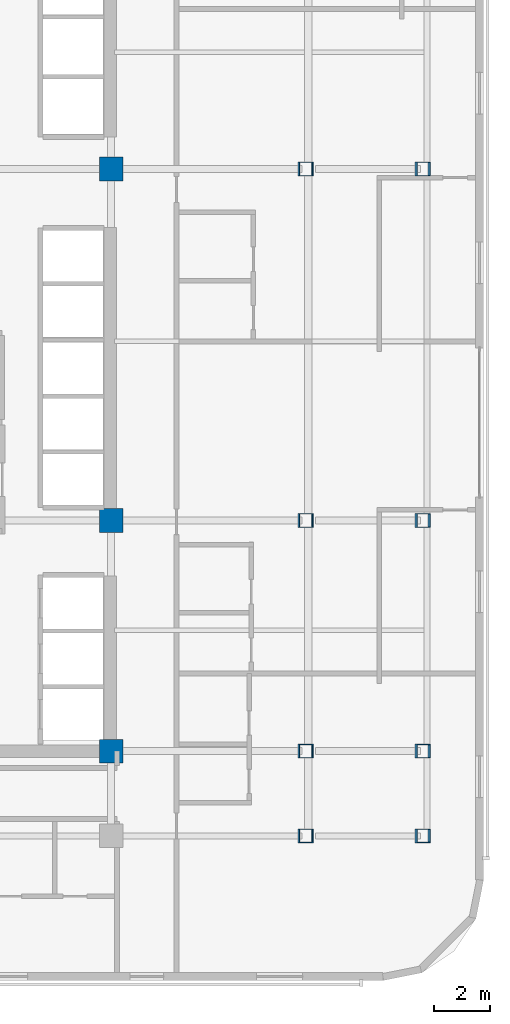
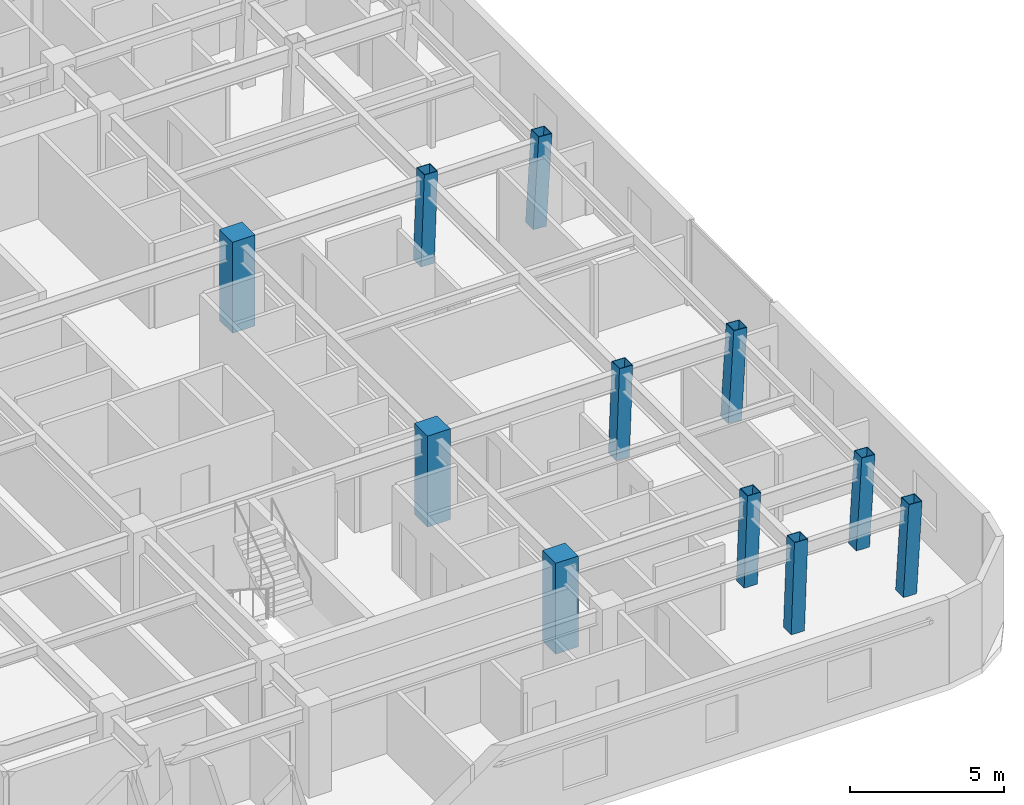
# One storey, part 2 of 15: 11 columns.
"""IFC4 building model written with IfcOpenShell, lengths in metres."""

from ifc_helpers import new_model, si_unit, direction, frame, origin, origin_2d, place, context, subcontext, project, spatial, rectangle, hollow_rectangle, extrude, material, material_profile, profile_set, type_object, element, save


model = new_model("IFC4")

# Units and contexts
model_context = context("Model", 3, precision=1e-05, world=origin(), true_north=direction((0.0, 1.0)))
body_context = subcontext(model_context, "Body", "Model", "MODEL_VIEW")
ifc_project = project(units=[si_unit("LENGTHUNIT", "METRE"), si_unit("AREAUNIT", "SQUARE_METRE"), si_unit("VOLUMEUNIT", "CUBIC_METRE"), si_unit("PLANEANGLEUNIT", "RADIAN"), si_unit("MASSUNIT", "GRAM", prefix="KILO")], contexts=[model_context])

# Site, building, storey
site_placement = place(None, origin())
site = spatial("IfcSite", under=ifc_project, at=site_placement, CompositionType="ELEMENT")
building_placement = place(site_placement, origin())
building = spatial("IfcBuilding", under=site, at=building_placement, Name="Ochreholt Gables", CompositionType="ELEMENT")
storey_placement = place(building_placement, frame((0.0, 0.0, 64.199951171875)))
storey = spatial("IfcBuildingStorey", under=building, at=storey_placement, Name="L16", CompositionType="ELEMENT", Elevation=64.199951171875)

# Columns
ifc_material_1 = material(Name="Steel CSA G40.21 350W", Category="steel")
ifc_material_profile_1 = material_profile(ifc_material_1, hollow_rectangle(XDim=0.5, YDim=0.5, WallThickness=0.02197265625, at=origin_2d()), Name="HSS500X500X22")
ifc_profile_set_1 = profile_set([ifc_material_profile_1], Name="Steel CSA G40.21 350W")
column_type_1 = type_object("IfcColumnType", Name="COL-HSS500-RAK", PredefinedType="COLUMN", material=ifc_profile_set_1)
for number, where, z_axis, x_axis, name in (
    (1, (42.18310546875, 9.25, 0.0), (0.034971136209, 0.0, 0.999388322742), (0.0, 1.0, 0.0), "L16 Column EMY2"),
    (2, (42.18310546875, 17.550048828125, 0.0), (0.034971136209, 0.0, 0.999388322742), (0.0, 1.0, 0.0), "L16 Column EMY3"),
    (3, (42.18310546875, 30.199951171875, 0.0), (0.034971136209, 0.0, 0.999388322742), (0.0, 1.0, 0.0), "L16 Column EMY4"),
):
    element("IfcColumn", number, at=place(storey_placement, frame(where, z_axis=z_axis, x_axis=x_axis)), inside=storey, type_object=column_type_1, Name=name, PredefinedType="COLUMN", context=body_context, shape_type="SweptSolid", body=[
        extrude(hollow_rectangle(XDim=0.5, YDim=0.5, WallThickness=0.02197265625, at=origin_2d()), origin(), (0.0, 0.0, 1.0), 3.602294921875),
    ])
ifc_material_profile_2 = material_profile(ifc_material_1, hollow_rectangle(XDim=0.5, YDim=0.5, WallThickness=0.02197265625, at=origin_2d()), Name="HSS500X500X22")
ifc_profile_set_2 = profile_set([ifc_material_profile_2], Name="Steel CSA G40.21 350W")
column_type_2 = type_object("IfcColumnType", Name="COL-HSS500-RAKE", PredefinedType="COLUMN", material=ifc_profile_set_2)
column_placement = place(storey_placement, frame((42.18310546875, 6.199951171875, 0.0), z_axis=(0.034971136209, 0.0, 0.999388322742), x_axis=(0.0, 1.0, 0.0)))
element("IfcColumn", 4, at=column_placement, inside=storey, type_object=column_type_2, Name="L16 Column EMY1", PredefinedType="COLUMN", context=body_context, shape_type="SweptSolid", body=[
    extrude(hollow_rectangle(XDim=0.5, YDim=0.5, WallThickness=0.02197265625, at=origin_2d()), origin(), (0.0, 0.0, 1.0), 3.602294921875),
])
for number, where, z_axis, x_axis, name in (
    (5, (46.38037109375, 6.199951171875, 0.0), (0.057884606321, 0.0, 0.998323280481), (0.0, 1.0, 0.0), "L16 Column EEY1"),
    (6, (46.38037109375, 9.25, 0.0), (0.057884606321, 0.0, 0.998323280481), (0.0, 1.0, 0.0), "L16 Column EEY2"),
    (7, (46.38037109375, 17.550048828125, 0.0), (0.057884606321, 0.0, 0.998323280481), (0.0, 1.0, 0.0), "L16 Column EEY3"),
    (8, (46.38037109375, 30.199951171875, 0.0), (0.057884606321, 0.0, 0.998323280481), (0.0, 1.0, 0.0), "L16 Column EEY4"),
):
    element("IfcColumn", number, at=place(storey_placement, frame(where, z_axis=z_axis, x_axis=x_axis)), inside=storey, type_object=column_type_2, Name=name, PredefinedType="COLUMN", context=body_context, shape_type="SweptSolid", body=[
        extrude(hollow_rectangle(XDim=0.5, YDim=0.5, WallThickness=0.02197265625, at=origin_2d()), origin(), (0.0, 0.0, 1.0), 3.606201171875),
    ])
ifc_material_2 = material(Name="Concrete 60 MPa", Category="concrete")
ifc_material_profile_3 = material_profile(ifc_material_2, rectangle(XDim=0.85009765625, YDim=0.85009765625, at=origin_2d()), Name="RC850X850")
ifc_profile_set_3 = profile_set([ifc_material_profile_3], Name="Concrete 60 MPa")
column_type_3 = type_object("IfcColumnType", Name="COL-RC850-INT", PredefinedType="COLUMN", material=ifc_profile_set_3)
for number, where, z_axis, x_axis, name in (
    (9, (35.199951171875, 9.25, 0.0), (0.0, 0.0, 1.0), (1.0, 0.0, 0.0), "L16 Column C2Y2"),
    (10, (35.199951171875, 17.550048828125, 0.0), (0.0, 0.0, 1.0), (1.0, 0.0, 0.0), "L16 Column C2Y3"),
    (11, (35.199951171875, 30.199951171875, 0.0), (0.0, 0.0, 1.0), (1.0, 0.0, 0.0), "L16 Column C2Y4"),
):
    element("IfcColumn", number, at=place(storey_placement, frame(where, z_axis=z_axis, x_axis=x_axis)), inside=storey, type_object=column_type_3, Name=name, PredefinedType="COLUMN", context=body_context, shape_type="SweptSolid", body=[
        extrude(rectangle(XDim=0.85009765625, YDim=0.85009765625, at=origin_2d()), origin(), (0.0, 0.0, 1.0), 3.60009765625),
    ])

save(model, "model.ifc")
